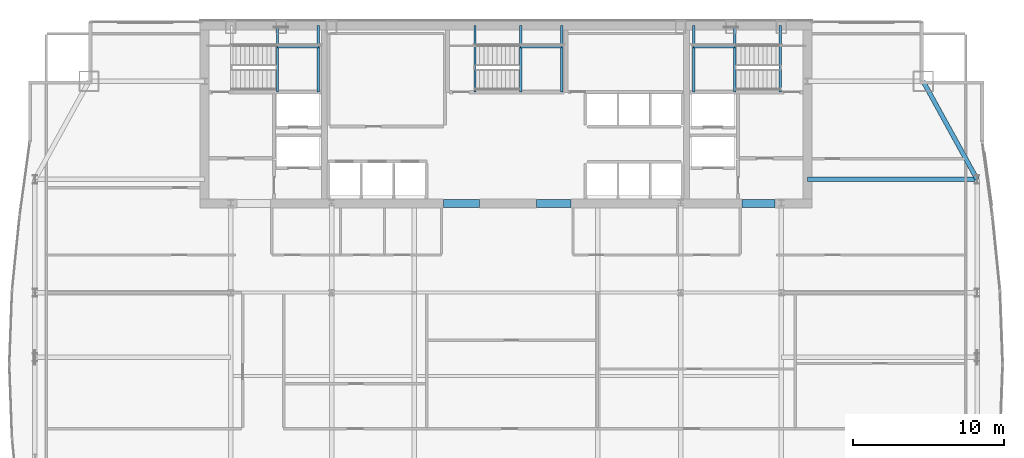
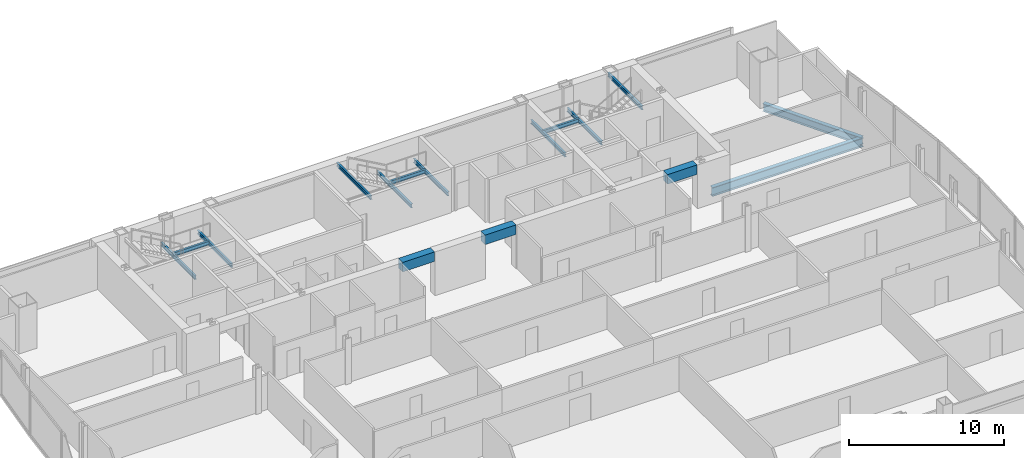
# One storey, part 19 of 29: 16 beams.
"""IFC4 building model written with IfcOpenShell, lengths in metres."""

from ifc_helpers import new_model, si_unit, direction, frame, origin, origin_2d, place, context, subcontext, project, spatial, rectangle, i_section, extrude, material, material_profile, profile_set, type_object, element, save


model = new_model("IFC4")

# Units and contexts
model_context = context("Model", 3, precision=1e-05, world=origin(), true_north=direction((0.0, 1.0)))
body_context = subcontext(model_context, "Body", "Model", "MODEL_VIEW")
ifc_project = project(units=[si_unit("LENGTHUNIT", "METRE"), si_unit("AREAUNIT", "SQUARE_METRE"), si_unit("VOLUMEUNIT", "CUBIC_METRE"), si_unit("PLANEANGLEUNIT", "RADIAN"), si_unit("MASSUNIT", "GRAM", prefix="KILO")], contexts=[model_context])

# Site, building, storey
site_placement = place(None, origin())
site = spatial("IfcSite", under=ifc_project, at=site_placement, CompositionType="ELEMENT")
building_placement = place(site_placement, origin())
building = spatial("IfcBuilding", under=site, at=building_placement, Name="Khoronbel Lancet Exchange", CompositionType="ELEMENT")
storey_placement = place(building_placement, frame((0.0, 0.0, 177.0)))
storey = spatial("IfcBuildingStorey", under=building, at=storey_placement, Name="L44", CompositionType="ELEMENT", Elevation=177.0)

# Beams
ifc_material_1 = material(Name="Steel S355", Category="steel")
ifc_material_profile_1 = material_profile(ifc_material_1, i_section(OverallWidth=0.300048828125, OverallDepth=0.699951171875, WebThickness=0.01708984375, FlangeThickness=0.031982421875, at=origin_2d()), Name="HEB 700")
ifc_profile_set_1 = profile_set([ifc_material_profile_1], Name="Steel S355")
beam_type_1 = type_object("IfcBeamType", Name="BM-BG3", PredefinedType="BEAM", material=ifc_profile_set_1)
beam_1_placement = place(storey_placement, frame((56.39990234375, 43.199951171875, -0.510009765625), z_axis=(1.0, 0.0, 0.0), x_axis=(0.0, 1.0, 0.0)))
element("IfcBeam", 1, at=beam_1_placement, inside=storey, type_object=beam_type_1, Name="Level L44 east lens tie girder LG3E", PredefinedType="BEAM", context=body_context, shape_type="SweptSolid", body=[
    extrude(i_section(OverallWidth=0.300048828125, OverallDepth=0.699951171875, WebThickness=0.01708984375, FlangeThickness=0.031982421875, at=origin_2d()), origin(), (0.0, 0.0, 1.0), 11.22998046875),
])
ifc_material_profile_2 = material_profile(ifc_material_1, i_section(OverallWidth=0.14990234375, OverallDepth=0.300048828125, WebThickness=0.007080078125, FlangeThickness=0.0107421875, at=origin_2d()), Name="IPE 300")
ifc_profile_set_2 = profile_set([ifc_material_profile_2], Name="Steel S355")
beam_type_2 = type_object("IfcBeamType", Name="BM-BJ8", PredefinedType="JOIST", material=ifc_profile_set_2)
for number, where, z_axis, x_axis, name in (
    (2, (21.320068359375, 48.97998046875, 1.449951171875), (0.0, 1.0, 0.0), (-1.0, 0.0, 0.0), "Level L44 stair ST1 landing bearer beam 1"),
    (3, (24.030029296875, 48.97998046875, 1.449951171875), (0.0, 1.0, 0.0), (-1.0, 0.0, 0.0), "Level L44 stair ST1 rear landing bearer beam 1"),
):
    element("IfcBeam", number, at=place(storey_placement, frame(where, z_axis=z_axis, x_axis=x_axis)), inside=storey, type_object=beam_type_2, Name=name, PredefinedType="JOIST", context=body_context, shape_type="SweptSolid", body=[
        extrude(i_section(OverallWidth=0.14990234375, OverallDepth=0.300048828125, WebThickness=0.007080078125, FlangeThickness=0.0107421875, at=origin_2d()), origin(), (0.0, 0.0, 1.0), 4.419921875),
    ])
beam_2_placement = place(storey_placement, frame((21.320068359375, 51.97998046875, 1.449951171875), z_axis=(1.0, 0.0, 0.0), x_axis=(0.0, 1.0, 0.0)))
element("IfcBeam", 4, at=beam_2_placement, inside=storey, type_object=beam_type_2, Name="Level L44 stair ST1 landing cross trimmer beam 1", PredefinedType="JOIST", context=body_context, shape_type="SweptSolid", body=[
    extrude(i_section(OverallWidth=0.14990234375, OverallDepth=0.300048828125, WebThickness=0.007080078125, FlangeThickness=0.0107421875, at=origin_2d()), origin(), (0.0, 0.0, 1.0), 2.7099609375),
])
for number, where, z_axis, x_axis, name in (
    (5, (51.580078125, 48.97998046875, 1.449951171875), (0.0, 1.0, 0.0), (-1.0, 0.0, 0.0), "Level L44 stair ST2 landing bearer beam 1"),
    (6, (48.8701171875, 48.97998046875, 1.449951171875), (0.0, 1.0, 0.0), (-1.0, 0.0, 0.0), "Level L44 stair ST2 rear landing bearer beam 1"),
):
    element("IfcBeam", number, at=place(storey_placement, frame(where, z_axis=z_axis, x_axis=x_axis)), inside=storey, type_object=beam_type_2, Name=name, PredefinedType="JOIST", context=body_context, shape_type="SweptSolid", body=[
        extrude(i_section(OverallWidth=0.14990234375, OverallDepth=0.300048828125, WebThickness=0.007080078125, FlangeThickness=0.0107421875, at=origin_2d()), origin(), (0.0, 0.0, 1.0), 4.419921875),
    ])
beam_3_placement = place(storey_placement, frame((48.8701171875, 51.97998046875, 1.449951171875), z_axis=(1.0, 0.0, 0.0), x_axis=(0.0, 1.0, 0.0)))
element("IfcBeam", 7, at=beam_3_placement, inside=storey, type_object=beam_type_2, Name="Level L44 stair ST2 landing cross trimmer beam 1", PredefinedType="JOIST", context=body_context, shape_type="SweptSolid", body=[
    extrude(i_section(OverallWidth=0.14990234375, OverallDepth=0.300048828125, WebThickness=0.007080078125, FlangeThickness=0.0107421875, at=origin_2d()), origin(), (0.0, 0.0, 1.0), 2.7099609375),
])
for number, where, z_axis, x_axis, name in (
    (8, (54.60009765625, 48.97998046875, 3.159912109375), (0.0, 1.0, 0.0), (-1.0, 0.0, 0.0), "Level L44 stair ST2 upper-flight arrival trimmer beam"),
    (9, (37.419921875, 48.97998046875, 1.449951171875), (0.0, 1.0, 0.0), (-1.0, 0.0, 0.0), "Level L44 stair ST3 landing bearer beam 1"),
    (10, (40.1298828125, 48.97998046875, 1.449951171875), (0.0, 1.0, 0.0), (-1.0, 0.0, 0.0), "Level L44 stair ST3 rear landing bearer beam 1"),
):
    element("IfcBeam", number, at=place(storey_placement, frame(where, z_axis=z_axis, x_axis=x_axis)), inside=storey, type_object=beam_type_2, Name=name, PredefinedType="JOIST", context=body_context, shape_type="SweptSolid", body=[
        extrude(i_section(OverallWidth=0.14990234375, OverallDepth=0.300048828125, WebThickness=0.007080078125, FlangeThickness=0.0107421875, at=origin_2d()), origin(), (0.0, 0.0, 1.0), 4.419921875),
    ])
beam_4_placement = place(storey_placement, frame((37.419921875, 51.97998046875, 1.449951171875), z_axis=(1.0, 0.0, 0.0), x_axis=(0.0, 1.0, 0.0)))
element("IfcBeam", 11, at=beam_4_placement, inside=storey, type_object=beam_type_2, Name="Level L44 stair ST3 landing cross trimmer beam 1", PredefinedType="JOIST", context=body_context, shape_type="SweptSolid", body=[
    extrude(i_section(OverallWidth=0.14990234375, OverallDepth=0.300048828125, WebThickness=0.007080078125, FlangeThickness=0.0107421875, at=origin_2d()), origin(), (0.0, 0.0, 1.0), 2.7099609375),
])
beam_5_placement = place(storey_placement, frame((34.39990234375, 48.97998046875, 3.159912109375), z_axis=(0.0, 1.0, 0.0), x_axis=(-1.0, 0.0, 0.0)))
element("IfcBeam", 12, at=beam_5_placement, inside=storey, type_object=beam_type_2, Name="Level L44 stair ST3 upper-flight arrival trimmer beam", PredefinedType="JOIST", context=body_context, shape_type="SweptSolid", body=[
    extrude(i_section(OverallWidth=0.14990234375, OverallDepth=0.300048828125, WebThickness=0.007080078125, FlangeThickness=0.0107421875, at=origin_2d()), origin(), (0.0, 0.0, 1.0), 4.419921875),
])
ifc_material_2 = material(Name="Concrete C60/75", Category="concrete")
ifc_material_profile_3 = material_profile(ifc_material_2, rectangle(XDim=0.550048828125, YDim=0.75, at=origin_2d()), Name="RC 550x750")
ifc_profile_set_3 = profile_set([ifc_material_profile_3], Name="Concrete C60/75")
beam_type_3 = type_object("IfcBeamType", Name="BM-BL2", PredefinedType="LINTEL", material=ifc_profile_set_3)
beam_6_placement = place(storey_placement, frame((32.300048828125, 41.60009765625, 3.06494140625), z_axis=(1.0, 0.0, 0.0), x_axis=(0.0, 1.0, 0.0)))
element("IfcBeam", 13, at=beam_6_placement, inside=storey, type_object=beam_type_3, Name="Level L44 rear core coupling lintel L2", PredefinedType="LINTEL", context=body_context, shape_type="SweptSolid", body=[
    extrude(rectangle(XDim=0.550048828125, YDim=0.75, at=origin_2d()), origin(), (0.0, 0.0, 1.0), 2.39990234375),
])
beam_7_placement = place(storey_placement, frame((38.449951171875, 41.60009765625, 3.06494140625), z_axis=(1.0, 0.0, 0.0), x_axis=(0.0, 1.0, 0.0)))
element("IfcBeam", 14, at=beam_7_placement, inside=storey, type_object=beam_type_3, Name="Level L44 rear core coupling lintel L3", PredefinedType="LINTEL", context=body_context, shape_type="SweptSolid", body=[
    extrude(rectangle(XDim=0.550048828125, YDim=0.75, at=origin_2d()), origin(), (0.0, 0.0, 1.0), 2.300048828125),
])
beam_8_placement = place(storey_placement, frame((52.050048828125, 41.60009765625, 3.06494140625), z_axis=(1.0, 0.0, 0.0), x_axis=(0.0, 1.0, 0.0)))
element("IfcBeam", 15, at=beam_8_placement, inside=storey, type_object=beam_type_3, Name="Level L44 rear core coupling lintel L4", PredefinedType="LINTEL", context=body_context, shape_type="SweptSolid", body=[
    extrude(rectangle(XDim=0.550048828125, YDim=0.75, at=origin_2d()), origin(), (0.0, 0.0, 1.0), 2.199951171875),
])
ifc_material_profile_4 = material_profile(ifc_material_1, i_section(OverallWidth=0.300048828125, OverallDepth=0.60009765625, WebThickness=0.015380859375, FlangeThickness=0.030029296875, at=origin_2d()), Name="HEB 600")
ifc_profile_set_4 = profile_set([ifc_material_profile_4], Name="Steel S355")
beam_type_4 = type_object("IfcBeamType", Name="BM-BSP2", PredefinedType="SPANDREL", material=ifc_profile_set_4)
beam_9_placement = place(storey_placement, frame((67.6298828125, 43.199951171875, -0.4599609375), z_axis=(-0.482418808117, 0.875940690672, 0.0), x_axis=(-0.875940690672, -0.482418808117, 0.0)))
element("IfcBeam", 16, at=beam_9_placement, inside=storey, type_object=beam_type_4, Name="Level L44 perimeter spandrel beam SP15", PredefinedType="SPANDREL", context=body_context, shape_type="SweptSolid", body=[
    extrude(i_section(OverallWidth=0.300048828125, OverallDepth=0.60009765625, WebThickness=0.015380859375, FlangeThickness=0.030029296875, at=origin_2d()), origin(), (0.0, 0.0, 1.0), 7.420654296875),
])

save(model, "model.ifc")
